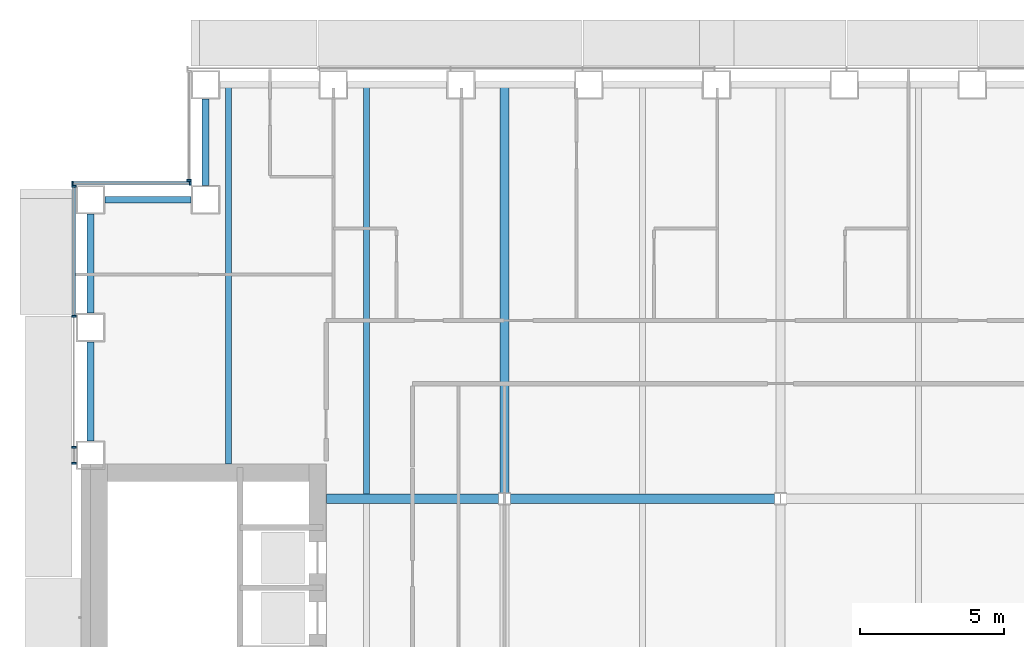
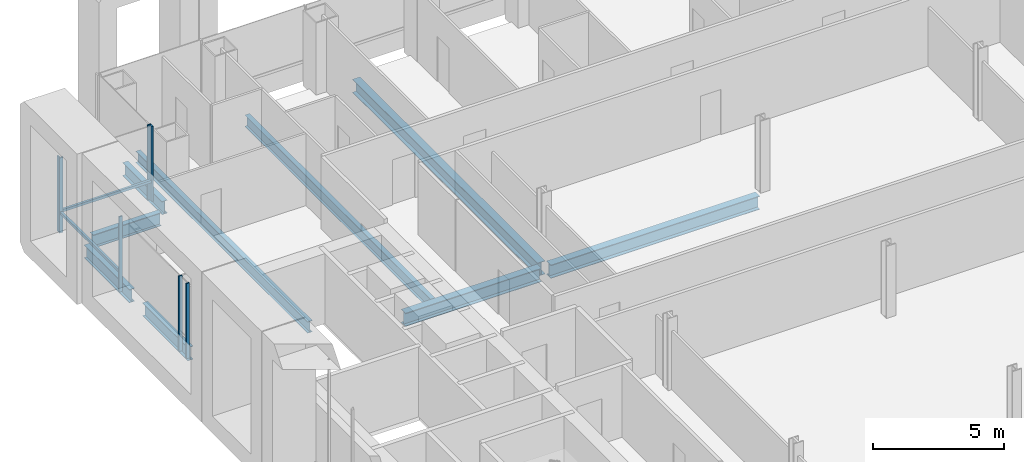
# One storey, part 6 of 25: 9 beams, 9 members, 3 elements without a shape of their own.
"""IFC4 building model written with IfcOpenShell, lengths in metres."""

from ifc_helpers import new_model, si_unit, direction, frame, origin, origin_2d, place, context, subcontext, project, spatial, rectangle, i_section, extrude, material, material_profile, profile_set, type_object, element, aggregate, save


model = new_model("IFC4")

# Units and contexts
model_context = context("Model", 3, precision=1e-05, world=origin(), true_north=direction((0.0, 1.0)))
body_context = subcontext(model_context, "Body", "Model", "MODEL_VIEW")
ifc_project = project(units=[si_unit("LENGTHUNIT", "METRE"), si_unit("AREAUNIT", "SQUARE_METRE"), si_unit("VOLUMEUNIT", "CUBIC_METRE"), si_unit("PLANEANGLEUNIT", "RADIAN"), si_unit("MASSUNIT", "GRAM", prefix="KILO")], contexts=[model_context])

# Site, building, storey
site_placement = place(None, origin())
site = spatial("IfcSite", under=ifc_project, at=site_placement, CompositionType="ELEMENT")
building_placement = place(site_placement, origin())
building = spatial("IfcBuilding", under=site, at=building_placement, Name="Cobrizo Arcos Hotel Tower", CompositionType="ELEMENT")
storey_placement = place(building_placement, frame((0.0, 0.0, 46.0)))
storey = spatial("IfcBuildingStorey", under=building, at=storey_placement, Name="L09", CompositionType="ELEMENT", Elevation=46.0)

# Curtain wall, member
ifc_material_1 = material(Name="Aluminium 6063-T6 anodised bronze", Category="aluminium")
curtain_wall_type = type_object("IfcCurtainWallType", Name="CW-A guest facade", PredefinedType="NOTDEFINED", material=ifc_material_1)
curtain_wall_1_placement = place(storey_placement, origin())
curtain_wall_1 = element("IfcCurtainWall", 1, at=curtain_wall_1_placement, inside=storey, type_object=curtain_wall_type, Name="CW-A L09 W face", PredefinedType="NOTDEFINED")
ifc_material_profile_1 = material_profile(ifc_material_1, rectangle(XDim=0.14990234375, YDim=0.06005859375, at=origin_2d()), Name="CW-A mullion 150x60")
ifc_profile_set_1 = profile_set([ifc_material_profile_1], Name="Aluminium 6063-T6 anodised bronze")
member_type_1 = type_object("IfcMemberType", Name="CW-A mullion 150x60", PredefinedType="MULLION", material=ifc_profile_set_1)
member_1_placement = place(storey_placement, frame((-20.574951171875, 20.679931640625, 0.0), z_axis=(0.0, 0.0, 1.0), x_axis=(-1.0, 0.0, 0.0)))
member_1 = element("IfcMember", 2, at=member_1_placement, type_object=member_type_1, Name="CW-A mullion 2", PredefinedType="MULLION", context=body_context, shape_type="SweptSolid", body=[
    extrude(rectangle(XDim=0.14990234375, YDim=0.06005859375, at=origin_2d()), origin(), (0.0, 0.0, 1.0), 3.5),
])
aggregate(curtain_wall_1, [member_1])

# Curtain wall, members
curtain_wall_2_placement = place(storey_placement, origin())
curtain_wall_2 = element("IfcCurtainWall", 3, at=curtain_wall_2_placement, inside=storey, type_object=curtain_wall_type, Name="CW-A L09 N face", PredefinedType="NOTDEFINED")
member_2_placement = place(storey_placement, frame((-20.530029296875, 20.574951171875, 0.0), z_axis=(0.0, 0.0, 1.0), x_axis=(0.0, 1.0, 0.0)))
member_2 = element("IfcMember", 4, at=member_2_placement, type_object=member_type_1, Name="CW-A mullion 1", PredefinedType="MULLION", context=body_context, shape_type="SweptSolid", body=[
    extrude(rectangle(XDim=0.14990234375, YDim=0.06005859375, at=origin_2d()), origin(), (0.0, 0.0, 1.0), 3.5),
])
member_3_placement = place(storey_placement, frame((-24.6201171875, 20.574951171875, 0.0), z_axis=(0.0, 0.0, 1.0), x_axis=(0.0, 1.0, 0.0)))
member_3 = element("IfcMember", 5, at=member_3_placement, type_object=member_type_1, Name="CW-A mullion 2", PredefinedType="MULLION", context=body_context, shape_type="SweptSolid", body=[
    extrude(rectangle(XDim=0.14990234375, YDim=0.06005859375, at=origin_2d()), origin(), (0.0, 0.0, 1.0), 3.5),
])

curtain_wall_3_placement = place(storey_placement, origin())
curtain_wall_3 = element("IfcCurtainWall", 6, at=curtain_wall_3_placement, inside=storey, type_object=curtain_wall_type, Name="CW-A L09 W face", PredefinedType="NOTDEFINED")
member_4_placement = place(storey_placement, frame((-24.574951171875, 20.469970703125, 0.0), z_axis=(0.0, 0.0, 1.0), x_axis=(-1.0, 0.0, 0.0)))
member_4 = element("IfcMember", 7, at=member_4_placement, type_object=member_type_1, Name="CW-A mullion 1", PredefinedType="MULLION", context=body_context, shape_type="SweptSolid", body=[
    extrude(rectangle(XDim=0.14990234375, YDim=0.06005859375, at=origin_2d()), origin(), (0.0, 0.0, 1.0), 3.5),
])
member_5_placement = place(storey_placement, frame((-24.574951171875, 15.9443359375, 0.0), z_axis=(0.0, 0.0, 1.0), x_axis=(-1.0, 0.0, 0.0)))
member_5 = element("IfcMember", 8, at=member_5_placement, type_object=member_type_1, Name="CW-A mullion 2", PredefinedType="MULLION", context=body_context, shape_type="SweptSolid", body=[
    extrude(rectangle(XDim=0.14990234375, YDim=0.06005859375, at=origin_2d()), origin(), (0.0, 0.0, 1.0), 3.5),
])
member_6_placement = place(storey_placement, frame((-24.574951171875, 11.388916015625, 0.0), z_axis=(0.0, 0.0, 1.0), x_axis=(-1.0, 0.0, 0.0)))
member_6 = element("IfcMember", 9, at=member_6_placement, type_object=member_type_1, Name="CW-A mullion 3", PredefinedType="MULLION", context=body_context, shape_type="SweptSolid", body=[
    extrude(rectangle(XDim=0.14990234375, YDim=0.06005859375, at=origin_2d()), origin(), (0.0, 0.0, 1.0), 3.5),
])
member_7_placement = place(storey_placement, frame((-24.574951171875, 10.830078125, 0.0), z_axis=(0.0, 0.0, 1.0), x_axis=(-1.0, 0.0, 0.0)))
member_7 = element("IfcMember", 10, at=member_7_placement, type_object=member_type_1, Name="CW-A mullion 4", PredefinedType="MULLION", context=body_context, shape_type="SweptSolid", body=[
    extrude(rectangle(XDim=0.14990234375, YDim=0.06005859375, at=origin_2d()), origin(), (0.0, 0.0, 1.0), 3.5),
])

# Member
ifc_material_profile_2 = material_profile(ifc_material_1, rectangle(XDim=0.10009765625, YDim=0.1201171875, at=origin_2d()), Name="CW-A transom 120x100")
ifc_profile_set_2 = profile_set([ifc_material_profile_2], Name="Aluminium 6063-T6 anodised bronze")
member_type_2 = type_object("IfcMemberType", Name="CW-A transom 120x100", PredefinedType="USERDEFINED", material=ifc_profile_set_2)
member_8_placement = place(storey_placement, frame((-20.56005859375, 20.574951171875, 0.929931640625), z_axis=(-1.0, 0.0, 0.0), x_axis=(0.0, -1.0, 0.0)))
member_8 = element("IfcMember", 11, at=member_8_placement, type_object=member_type_2, Name="CW-A transom 466", ObjectType="TRANSOM", PredefinedType="USERDEFINED", context=body_context, shape_type="SweptSolid", body=[
    extrude(rectangle(XDim=0.10009765625, YDim=0.1201171875, at=origin_2d()), origin(), (0.0, 0.0, 1.0), 4.030029296875),
])

aggregate(curtain_wall_2, [member_2, member_3, member_8])

member_9_placement = place(storey_placement, frame((-24.574951171875, 20.43994140625, 0.929931640625), z_axis=(0.0, -1.0, 0.0), x_axis=(1.0, 0.0, 0.0)))
member_9 = element("IfcMember", 12, at=member_9_placement, type_object=member_type_2, Name="CW-A transom 467", ObjectType="TRANSOM", PredefinedType="USERDEFINED", context=body_context, shape_type="SweptSolid", body=[
    extrude(rectangle(XDim=0.10009765625, YDim=0.1201171875, at=origin_2d()), origin(), (0.0, 0.0, 1.0), 4.465576171875),
])

aggregate(curtain_wall_3, [member_4, member_5, member_6, member_7, member_9])

# Beams
ifc_material_2 = material(Name="Steel ASTM A992 Grade 50", Category="steel")
ifc_material_profile_3 = material_profile(ifc_material_2, i_section(OverallWidth=0.209228515625, OverallDepth=0.533447265625, WebThickness=0.01025390625, FlangeThickness=0.015625, at=origin_2d()), Name="W21X62")
ifc_profile_set_3 = profile_set([ifc_material_profile_3], Name="Steel ASTM A992 Grade 50")
beam_type_1 = type_object("IfcBeamType", Name="W21X62 joist", PredefinedType="JOIST", material=ifc_profile_set_3)
beam_1_placement = place(storey_placement, frame((-19.199951171875, 10.81005859375, -0.416748046875), z_axis=(0.0, 1.0, 0.0), x_axis=(-1.0, 0.0, 0.0)))
element("IfcBeam", 13, at=beam_1_placement, inside=storey, type_object=beam_type_1, Name="Floor joist J1, L09, no. 002", PredefinedType="JOIST", context=body_context, shape_type="SweptSolid", body=[
    extrude(i_section(OverallWidth=0.209228515625, OverallDepth=0.533447265625, WebThickness=0.01025390625, FlangeThickness=0.015625, at=origin_2d()), origin(), (0.0, 0.0, 1.0), 13.099853515625),
])
beam_2_placement = place(storey_placement, frame((-14.39990234375, 9.763916015625, -0.416748046875), z_axis=(0.0, 1.0, 0.0), x_axis=(-1.0, 0.0, 0.0)))
element("IfcBeam", 14, at=beam_2_placement, inside=storey, type_object=beam_type_1, Name="Floor joist J1, L09, no. 006", PredefinedType="JOIST", context=body_context, shape_type="SweptSolid", body=[
    extrude(i_section(OverallWidth=0.209228515625, OverallDepth=0.533447265625, WebThickness=0.01025390625, FlangeThickness=0.015625, at=origin_2d()), origin(), (0.0, 0.0, 1.0), 14.14599609375),
])
ifc_material_profile_4 = material_profile(ifc_material_2, i_section(OverallWidth=0.32763671875, OverallDepth=0.622314453125, WebThickness=0.015380859375, FlangeThickness=0.0244140625, at=origin_2d()), Name="W24X131")
ifc_profile_set_4 = profile_set([ifc_material_profile_4], Name="Steel ASTM A992 Grade 50")
beam_type_2 = type_object("IfcBeamType", Name="W24X131 girder", PredefinedType="BEAM", material=ifc_profile_set_4)
beam_3_placement = place(storey_placement, frame((-15.7900390625, 9.60009765625, -0.461181640625), z_axis=(1.0, 0.0, 0.0), x_axis=(0.0, 1.0, 0.0)))
element("IfcBeam", 15, at=beam_3_placement, inside=storey, type_object=beam_type_2, Name="Floor girder G1, L09, no. 009", PredefinedType="BEAM", context=body_context, shape_type="SweptSolid", body=[
    extrude(i_section(OverallWidth=0.32763671875, OverallDepth=0.622314453125, WebThickness=0.015380859375, FlangeThickness=0.0244140625, at=origin_2d()), origin(), (0.0, 0.0, 1.0), 5.985595703125),
])
beam_4_placement = place(storey_placement, frame((-9.3955078125, 9.60009765625, -0.461181640625), z_axis=(1.0, 0.0, 0.0), x_axis=(0.0, 1.0, 0.0)))
element("IfcBeam", 16, at=beam_4_placement, inside=storey, type_object=beam_type_2, Name="Floor girder G1, L09, no. 010", PredefinedType="BEAM", context=body_context, shape_type="SweptSolid", body=[
    extrude(i_section(OverallWidth=0.32763671875, OverallDepth=0.622314453125, WebThickness=0.015380859375, FlangeThickness=0.0244140625, at=origin_2d()), origin(), (0.0, 0.0, 1.0), 9.191162109375),
])
beam_5_placement = place(storey_placement, frame((-9.60009765625, 9.804443359375, -0.461181640625), z_axis=(0.0, 1.0, 0.0), x_axis=(-1.0, 0.0, 0.0)))
element("IfcBeam", 17, at=beam_5_placement, inside=storey, type_object=beam_type_2, Name="Floor girder G1, L09, no. 016", PredefinedType="BEAM", context=body_context, shape_type="SweptSolid", body=[
    extrude(i_section(OverallWidth=0.32763671875, OverallDepth=0.622314453125, WebThickness=0.015380859375, FlangeThickness=0.0244140625, at=origin_2d()), origin(), (0.0, 0.0, 1.0), 14.10546875),
])
ifc_material_profile_5 = material_profile(ifc_material_2, i_section(OverallWidth=0.23046875, OverallDepth=0.6171875, WebThickness=0.01318359375, FlangeThickness=0.022216796875, at=origin_2d()), Name="W24X94")
ifc_profile_set_5 = profile_set([ifc_material_profile_5], Name="Steel ASTM A992 Grade 50")
beam_type_3 = type_object("IfcBeamType", Name="W24X94 spandrel", PredefinedType="SPANDREL", material=ifc_profile_set_5)
for number, where, z_axis, x_axis, name in (
    (18, (-20.0, 23.5, -0.45849609375), (0.0, -1.0, 0.0), (1.0, 0.0, 0.0), "Spandrel beam W24X94, L09, no. 027"),
    (19, (-20.5, 20.0, -0.45849609375), (-1.0, 0.0, 0.0), (0.0, -1.0, 0.0), "Spandrel beam W24X94, L09, no. 028"),
):
    element("IfcBeam", number, at=place(storey_placement, frame(where, z_axis=z_axis, x_axis=x_axis)), inside=storey, type_object=beam_type_3, Name=name, PredefinedType="SPANDREL", context=body_context, shape_type="SweptSolid", body=[
        extrude(i_section(OverallWidth=0.23046875, OverallDepth=0.6171875, WebThickness=0.01318359375, FlangeThickness=0.022216796875, at=origin_2d()), origin(), (0.0, 0.0, 1.0), 3.0),
    ])
beam_6_placement = place(storey_placement, frame((-24.0, 19.5, -0.45849609375), z_axis=(0.0, -1.0, 0.0), x_axis=(1.0, 0.0, 0.0)))
element("IfcBeam", 20, at=beam_6_placement, inside=storey, type_object=beam_type_3, Name="Spandrel beam W24X94, L09, no. 029", PredefinedType="SPANDREL", context=body_context, shape_type="SweptSolid", body=[
    extrude(i_section(OverallWidth=0.23046875, OverallDepth=0.6171875, WebThickness=0.01318359375, FlangeThickness=0.022216796875, at=origin_2d()), origin(), (0.0, 0.0, 1.0), 3.444091796875),
])
beam_7_placement = place(storey_placement, frame((-24.0, 15.055908203125, -0.45849609375), z_axis=(0.0, -1.0, 0.0), x_axis=(1.0, 0.0, 0.0)))
element("IfcBeam", 21, at=beam_7_placement, inside=storey, type_object=beam_type_3, Name="Spandrel beam W24X94, L09, no. 030", PredefinedType="SPANDREL", context=body_context, shape_type="SweptSolid", body=[
    extrude(i_section(OverallWidth=0.23046875, OverallDepth=0.6171875, WebThickness=0.01318359375, FlangeThickness=0.022216796875, at=origin_2d()), origin(), (0.0, 0.0, 1.0), 3.44482421875),
])

save(model, "model.ifc")
